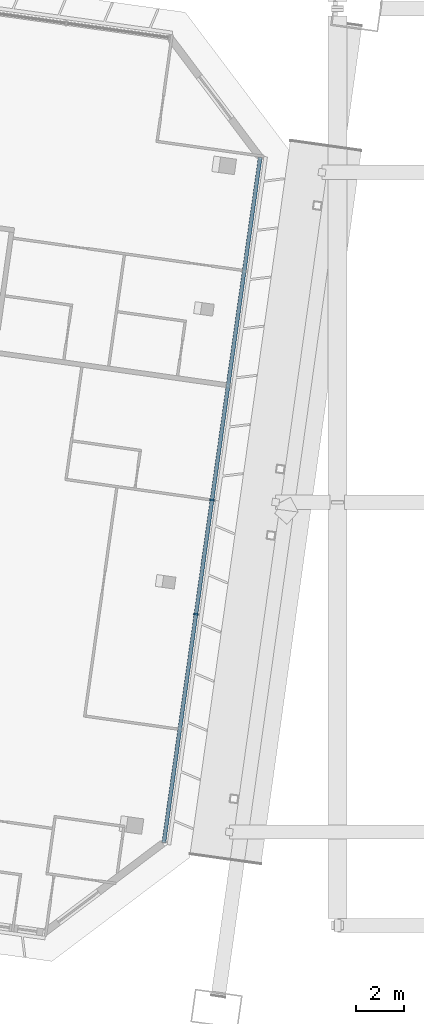
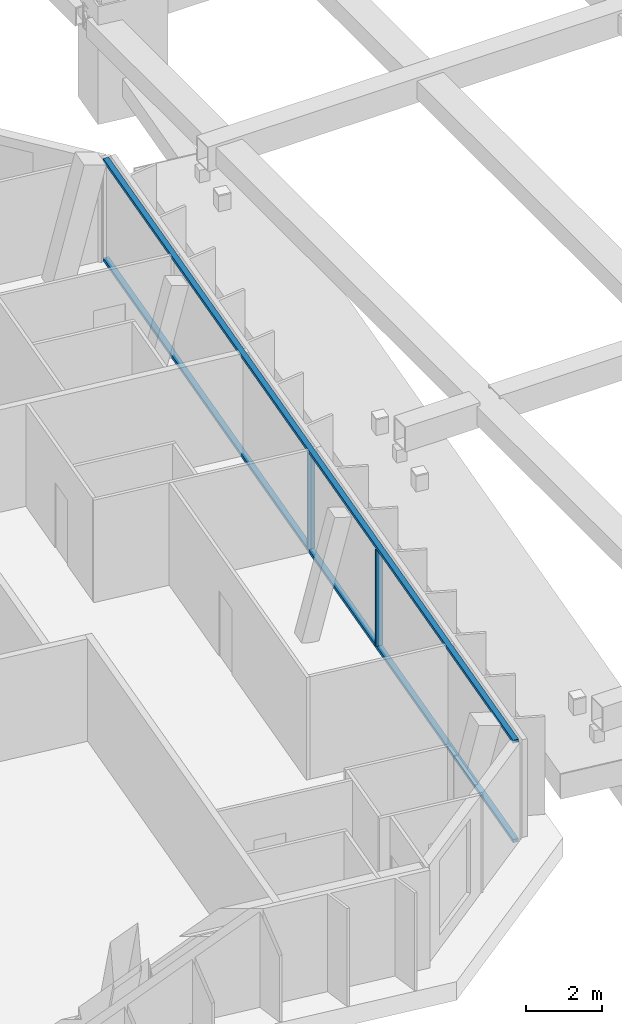
# One storey, part 6 of 36: 4 members, 1 element without a shape of its own.
"""IFC4 building model written with IfcOpenShell, lengths in metres."""

from ifc_helpers import new_model, si_unit, direction, frame, origin, origin_2d, place, context, subcontext, project, spatial, rectangle, extrude, material, material_profile, profile_set, type_object, element, aggregate, save


model = new_model("IFC4")

# Units and contexts
model_context = context("Model", 3, precision=1e-05, world=origin(), true_north=direction((0.0, 1.0)))
body_context = subcontext(model_context, "Body", "Model", "MODEL_VIEW")
ifc_project = project(units=[si_unit("LENGTHUNIT", "METRE"), si_unit("AREAUNIT", "SQUARE_METRE"), si_unit("VOLUMEUNIT", "CUBIC_METRE"), si_unit("PLANEANGLEUNIT", "RADIAN"), si_unit("MASSUNIT", "GRAM", prefix="KILO")], contexts=[model_context])

# Site, building, storey
site_placement = place(None, origin())
site = spatial("IfcSite", under=ifc_project, at=site_placement, CompositionType="ELEMENT")
building_placement = place(site_placement, origin())
building = spatial("IfcBuilding", under=site, at=building_placement, Name="Mirante Cascada Hotel Towers", CompositionType="ELEMENT")
storey_placement = place(building_placement, frame((0.0, 0.0, 254.6)))
storey = spatial("IfcBuildingStorey", under=building, at=storey_placement, Name="L61", CompositionType="ELEMENT", Elevation=254.6)

# Curtain wall, members
ifc_material_1 = material(Name="Aluminium mullion and transom frame with clear laminated glass", Category="aluminium")
curtain_wall_type = type_object("IfcCurtainWallType", Name="End ribbon curtain wall ECW2", PredefinedType="NOTDEFINED", material=ifc_material_1)
curtain_wall_placement = place(storey_placement, origin())
curtain_wall = element("IfcCurtainWall", 1, at=curtain_wall_placement, inside=storey, type_object=curtain_wall_type, Name="Inner end wall T1 L61", PredefinedType="NOTDEFINED")
ifc_material_2 = material(Name="Anodised aluminium extrusion", Category="aluminium")
ifc_material_profile_1 = material_profile(ifc_material_2, rectangle(XDim=0.2, YDim=0.065, at=origin_2d()), Name="ECW2 MULLION 65x200")
ifc_profile_set_1 = profile_set([ifc_material_profile_1], Name="Anodised aluminium extrusion")
member_type_1 = type_object("IfcMemberType", Name="ECW2 mullion 65x200", PredefinedType="MULLION", material=ifc_profile_set_1)
member_1_placement = place(storey_placement, frame((-17.4851, -3.7588, 0.1), z_axis=(0.0, 0.0, 1.0), x_axis=(0.9902681, -0.1391731, 0.0)))
member_1 = element("IfcMember", 2, at=member_1_placement, type_object=member_type_1, Name="ECW2 mullion 4", PredefinedType="MULLION", context=body_context, shape_type="SweptSolid", body=[
    extrude(rectangle(XDim=0.2, YDim=0.065, at=origin_2d()), origin(), (0.0, 0.0, 1.0), 3.1),
])
member_2_placement = place(storey_placement, frame((-18.1549, -8.5246, 0.1), z_axis=(0.0, 0.0, 1.0), x_axis=(0.9902681, -0.1391731, 0.0)))
member_2 = element("IfcMember", 3, at=member_2_placement, type_object=member_type_1, Name="ECW2 mullion 5", PredefinedType="MULLION", context=body_context, shape_type="SweptSolid", body=[
    extrude(rectangle(XDim=0.2, YDim=0.065, at=origin_2d()), origin(), (0.0, 0.0, 1.0), 3.1),
])
ifc_material_3 = material(Name="Anodised aluminium extrusion", Category="aluminium")
ifc_material_profile_2 = material_profile(ifc_material_3, rectangle(XDim=0.16, YDim=0.1, at=origin_2d()), Name="ECW2 TRANSOM 100x160")
ifc_profile_set_2 = profile_set([ifc_material_profile_2], Name="Anodised aluminium extrusion")
member_type_2 = type_object("IfcMemberType", Name="ECW2 transom 100x160", PredefinedType="USERDEFINED", material=ifc_profile_set_2)
member_3_placement = place(storey_placement, frame((-15.4758, 10.5385, 0.05), z_axis=(-0.1391723, -0.9902682, 0.0), x_axis=(0.9902682, -0.1391723, 0.0)))
member_3 = element("IfcMember", 4, at=member_3_placement, type_object=member_type_2, Name="ECW2 sill transom", ObjectType="TRANSOM", PredefinedType="USERDEFINED", context=body_context, shape_type="SweptSolid", body=[
    extrude(rectangle(XDim=0.16, YDim=0.1, at=origin_2d()), origin(), (0.0, 0.0, 1.0), 28.8757),
])
member_4_placement = place(storey_placement, frame((-15.4758, 10.5385, 3.25), z_axis=(-0.1391723, -0.9902682, 0.0), x_axis=(0.9902682, -0.1391723, 0.0)))
member_4 = element("IfcMember", 5, at=member_4_placement, type_object=member_type_2, Name="ECW2 head transom", ObjectType="TRANSOM", PredefinedType="USERDEFINED", context=body_context, shape_type="SweptSolid", body=[
    extrude(rectangle(XDim=0.16, YDim=0.1, at=origin_2d()), origin(), (0.0, 0.0, 1.0), 28.8757),
])
aggregate(curtain_wall, [member_3, member_4, member_1, member_2])

save(model, "model.ifc")
